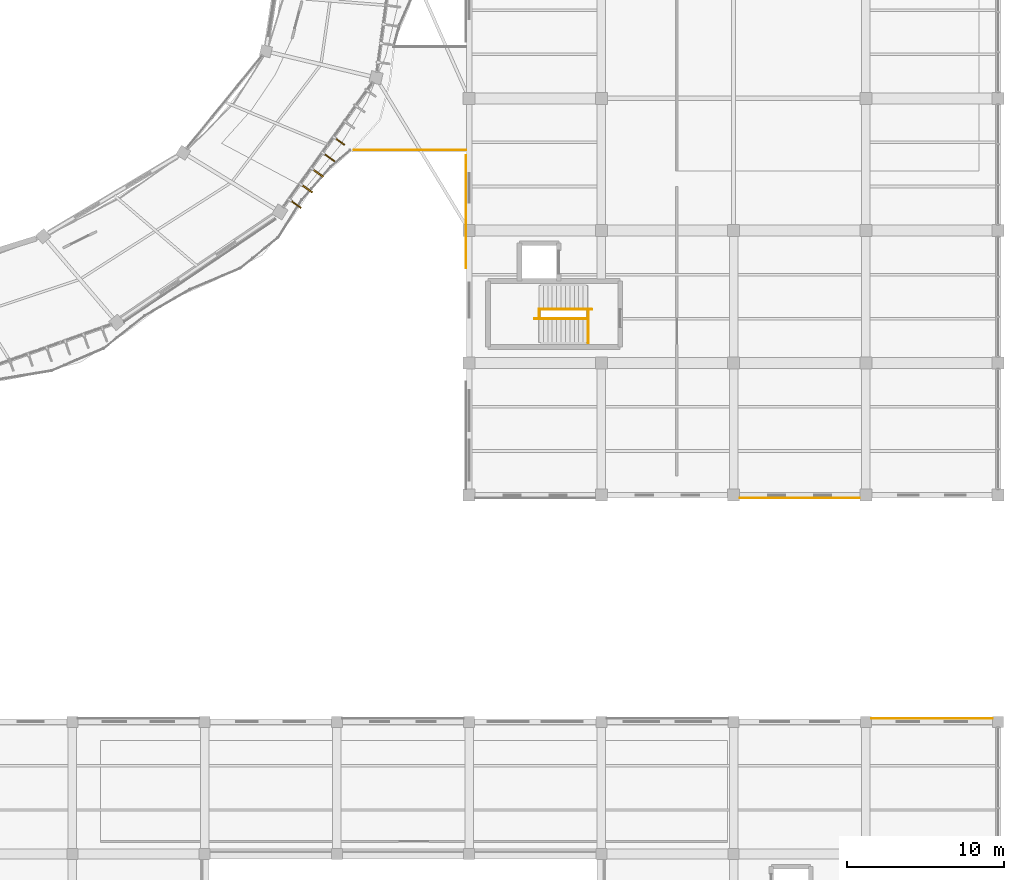
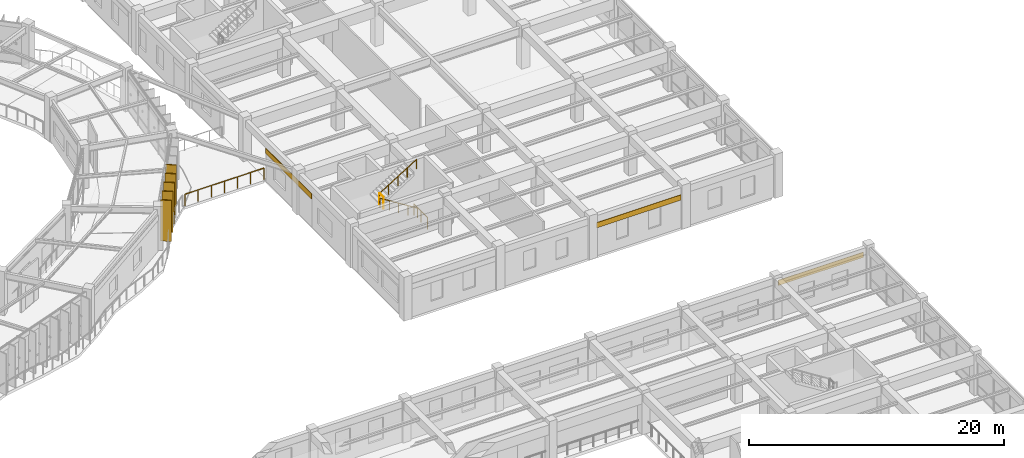
# One storey, part 151 of 152: 5 railings, 5 shading devices, 3 coverings.
"""IFC4 building model written with IfcOpenShell, lengths in metres."""

import ifcopenshell
import ifcopenshell.guid

model = None  # the IFC model being written
_history = None  # IfcOwnerHistory: only IFC2X3 demands one
_inside = {}  # id of a spatial element -> (the spatial element, [elements in it])
_under = {}  # id of a project, library or spatial element -> (it, [spatial elements below it])
_declared = {}  # id of a project -> (the project, [libraries it declares])
_typed = {}  # id of a type object -> (the type object, [elements of that type])
_made_of = {}  # id of a material, layer set ... -> (it, [elements and type objects made of it])


def new_model(schema):
    """Start an empty IFC model of exactly this schema.

    Asked for "IFC4X3", IfcOpenShell would pick the latest addendum, in which some entities
    have other attributes; the version numbers below select the first issue.
    IFC2X3 requires an IfcOwnerHistory on every rooted entity: one is made here for all.
    """
    global model, _history
    if schema == "IFC4X3":
        model = ifcopenshell.file(schema_version=(4, 3, 0, 0))
    else:
        model = ifcopenshell.file(schema=schema)
    _inside.clear()
    _under.clear()
    _declared.clear()
    _typed.clear()
    _made_of.clear()
    _history = None
    if model.schema == "IFC2X3":
        org = make("IfcOrganization", Name="unknown")
        user = make(
            "IfcPersonAndOrganization",
            ThePerson=make("IfcPerson", FamilyName="unknown"),
            TheOrganization=org,
        )
        app = make(
            "IfcApplication",
            ApplicationDeveloper=org,
            Version="unknown",
            ApplicationFullName="unknown",
            ApplicationIdentifier="unknown",
        )
        _history = make(
            "IfcOwnerHistory",
            OwningUser=user,
            OwningApplication=app,
            ChangeAction="ADDED",
            CreationDate=0,
        )
    return model


def make(cls, **values):
    """One entity of the class cls with the attributes given. An attribute that is None is left unset."""
    return model.create_entity(
        cls, **{name: value for name, value in values.items() if value is not None}
    )


def rooted(cls, **values):
    """An entity with a GlobalId (a new one), such as an element, a storey or a relation."""
    return make(cls, GlobalId=ifcopenshell.guid.new(), OwnerHistory=_history, **values)


def si_unit(unit_type, name, prefix=None):
    """IfcSIUnit, for example si_unit("LENGTHUNIT", "METRE", prefix="MILLI")."""
    return make("IfcSIUnit", UnitType=unit_type, Prefix=prefix, Name=name)


def assignment(units):
    """IfcUnitAssignment: the units of a project."""
    return None if units is None else make("IfcUnitAssignment", Units=units)


def point(xyz):
    """IfcCartesianPoint."""
    return None if xyz is None else make("IfcCartesianPoint", Coordinates=xyz)


def direction(xyz):
    """IfcDirection."""
    return None if xyz is None else make("IfcDirection", DirectionRatios=xyz)


def frame(location, z_axis=None, x_axis=None):
    """IfcAxis2Placement3D, a coordinate frame: its origin and axes. An axis left out is left unset."""
    return make(
        "IfcAxis2Placement3D",
        Location=point(location),
        Axis=direction(z_axis),
        RefDirection=direction(x_axis),
    )


def frame_2d(location, x_axis=None):
    """IfcAxis2Placement2D, a coordinate frame in the plane: its origin and x axis."""
    return make(
        "IfcAxis2Placement2D", Location=point(location), RefDirection=direction(x_axis)
    )


def origin():
    """The frame at (0, 0, 0) with its axes left unset."""
    return frame((0.0, 0.0, 0.0))


def origin_2d():
    """The frame at (0, 0) in the plane with its x axis left unset."""
    return frame_2d((0.0, 0.0))


def place(relative_to, where):
    """IfcLocalPlacement: puts the frame where relative to a parent placement (None: the world)."""
    return make(
        "IfcLocalPlacement", PlacementRelTo=relative_to, RelativePlacement=where
    )


def context(
    kind, dimensions, precision=None, world=None, true_north=None, identifier=None
):
    """IfcGeometricRepresentationContext, for example the 3D "Model" context."""
    return make(
        "IfcGeometricRepresentationContext",
        ContextIdentifier=identifier,
        ContextType=kind,
        CoordinateSpaceDimension=dimensions,
        Precision=precision,
        WorldCoordinateSystem=world,
        TrueNorth=true_north,
    )


def subcontext(parent, identifier, kind, view, scale=None):
    """IfcGeometricRepresentationSubContext, for example "Body" below "Model"."""
    return make(
        "IfcGeometricRepresentationSubContext",
        ContextIdentifier=identifier,
        ContextType=kind,
        ParentContext=parent,
        TargetScale=scale,
        TargetView=view,
    )


def project(units=None, contexts=None):
    """IfcProject with its units and contexts."""
    return rooted(
        "IfcProject",
        Name="project",
        RepresentationContexts=contexts,
        UnitsInContext=assignment(units),
    )


def spatial(cls, under=None, at=None, **own):
    """A site, building, storey or space (cls), placed at a placement, below another one or the project."""
    s = rooted(cls, ObjectPlacement=at, **own)
    if under is not None:
        _under.setdefault(under.id(), (under, []))[1].append(s)
    return s


def polyline(points):
    """IfcPolyline through the points."""
    return make("IfcPolyline", Points=[point(p) for p in points])


def profile(cls, at=None, kind="AREA", **sizes):
    """A parametric profile (cls). Its sizes go by their IFC names, for example OverallWidth=200.0."""
    return make(cls, ProfileType=kind, Position=at, **sizes)


def rectangle(**sizes):
    """IfcRectangleProfileDef."""
    return profile("IfcRectangleProfileDef", **sizes)


def circle(**sizes):
    """IfcCircleProfileDef."""
    return profile("IfcCircleProfileDef", **sizes)


def outline(outer, holes=None, kind="AREA"):
    """IfcArbitraryClosedProfileDef: a profile drawn as a closed curve; with holes, ...WithVoids."""
    if holes is None:
        return make("IfcArbitraryClosedProfileDef", ProfileType=kind, OuterCurve=outer)
    return make(
        "IfcArbitraryProfileDefWithVoids",
        ProfileType=kind,
        OuterCurve=outer,
        InnerCurves=holes,
    )


def extrude(swept, where, along, depth):
    """IfcExtrudedAreaSolid: the profile swept, set in the frame where, extruded along a direction by depth."""
    return make(
        "IfcExtrudedAreaSolid",
        SweptArea=swept,
        Position=where,
        ExtrudedDirection=direction(along),
        Depth=depth,
    )


def shape(context_of_items, identifier, shape_type, items):
    """IfcShapeRepresentation: the items that make up one representation, for example the "Body"."""
    return make(
        "IfcShapeRepresentation",
        ContextOfItems=context_of_items,
        RepresentationIdentifier=identifier,
        RepresentationType=shape_type,
        Items=items,
    )


def material(Name=None, Category=None):
    """IfcMaterial."""
    return make("IfcMaterial", Name=Name, Category=Category)


def layer(
    of_material, thickness, ventilated=None, Name=None, Category=None, Priority=None
):
    """IfcMaterialLayer: one layer of a wall or slab, of a material (None: an air gap)."""
    return make(
        "IfcMaterialLayer",
        Material=of_material,
        LayerThickness=thickness,
        IsVentilated=ventilated,
        Name=Name,
        Category=Category,
        Priority=Priority,
    )


def layer_set(layers, Name=None):
    """IfcMaterialLayerSet."""
    return make("IfcMaterialLayerSet", MaterialLayers=layers, LayerSetName=Name)


def made_of(thing, what):
    """Note that an element or type object is made of a material, layer set ...; save() writes the relation."""
    if what is not None:
        _made_of.setdefault(what.id(), (what, []))[1].append(thing)
    return thing


def type_object(cls, material=None, **own):
    """A type object (cls), such as IfcWallType, which elements share."""
    return made_of(rooted(cls, **own), material)


def element(
    cls,
    number,
    at=None,
    inside=None,
    cuts=None,
    type_object=None,
    material=None,
    context=None,
    identifier="Body",
    shape_type=None,
    held_by="IfcProductDefinitionShape",
    body=None,
    shapes=None,
    **own,
):
    """One element of the class cls, such as IfcWall. Its Tag is "e" and its number.

    at: its placement. inside: the storey or other place that contains it. cuts: it is an
    opening in that element (IfcRelVoidsElement). A single representation is given by context,
    identifier, shape_type and body (its items); several are given by shapes. held_by: the class
    of the entity that holds the representations. save() writes the other relations.
    """
    e = rooted(cls, Tag="e%d" % number, ObjectPlacement=at, **own)
    if body is not None:
        shapes = [shape(context, identifier, shape_type, body)]
    if shapes is not None:
        e.Representation = make(held_by, Representations=shapes)
    if inside is not None:
        _inside.setdefault(inside.id(), (inside, []))[1].append(e)
    if cuts is not None:
        rooted(
            "IfcRelVoidsElement", RelatingBuildingElement=cuts, RelatedOpeningElement=e
        )
    if type_object is not None:
        _typed.setdefault(type_object.id(), (type_object, []))[1].append(e)
    return made_of(e, material)


def aggregate(whole, parts):
    """IfcRelAggregates: a whole, such as a stair, and the parts it consists of."""
    return rooted("IfcRelAggregates", RelatingObject=whole, RelatedObjects=parts)


def save(model, path):
    """Write the relations noted so far, then the file.

    IfcRelAggregates (storeys below a building ...), IfcRelContainedInSpatialStructure (elements
    in a storey), IfcRelDefinesByType, IfcRelAssociatesMaterial and IfcRelDeclares: one each for
    every whole, place, type object, material and project.
    """
    for whole, parts in _under.values():
        aggregate(whole, parts)
    for where, things in _inside.values():
        rooted(
            "IfcRelContainedInSpatialStructure",
            RelatedElements=things,
            RelatingStructure=where,
        )
    for kind, things in _typed.values():
        rooted("IfcRelDefinesByType", RelatedObjects=things, RelatingType=kind)
    for what, things in _made_of.values():
        rooted("IfcRelAssociatesMaterial", RelatedObjects=things, RelatingMaterial=what)
    for by, libraries in _declared.values():
        rooted("IfcRelDeclares", RelatingContext=by, RelatedDefinitions=libraries)
    model.write(path)


model = new_model("IFC4")

# Units and contexts
model_context = context("Model", 3, precision=1e-05, world=origin(), true_north=direction((0.0, 1.0)))
body_context = subcontext(model_context, "Body", "Model", "MODEL_VIEW")
ifc_project = project(units=[si_unit("LENGTHUNIT", "METRE"), si_unit("AREAUNIT", "SQUARE_METRE"), si_unit("VOLUMEUNIT", "CUBIC_METRE"), si_unit("PLANEANGLEUNIT", "RADIAN"), si_unit("MASSUNIT", "GRAM", prefix="KILO"), si_unit("THERMODYNAMICTEMPERATUREUNIT", "KELVIN"), si_unit("POWERUNIT", "WATT")], contexts=[model_context])

# Site, building, storey
site_placement = place(None, origin())
site = spatial("IfcSite", under=ifc_project, at=site_placement, CompositionType="ELEMENT")
building_placement = place(site_placement, origin())
building = spatial("IfcBuilding", under=site, at=building_placement, Name="Darbajah Civic Hall", CompositionType="ELEMENT")
storey_placement = place(building_placement, frame((0.0, 0.0, 5.39990234375)))
storey = spatial("IfcBuildingStorey", under=building, at=storey_placement, Name="L01", CompositionType="ELEMENT", Elevation=5.39990234375)

# Railings
ifc_material_1 = material(Name="Brushed Bronze Stainless Steel", Category="steel")
railing_type_1 = type_object("IfcRailingType", Name="Brushed Bronze Handrail", PredefinedType="HANDRAIL", material=ifc_material_1)
railing_1_placement = place(storey_placement, frame((152.1201171875, 67.60009765625, 0.175048828125)))
element("IfcRailing", 1, at=railing_1_placement, inside=storey, type_object=railing_type_1, Name="ST09 L01 lower flight handrail", PredefinedType="HANDRAIL", context=body_context, shape_type="SweptSolid", body=[
    extrude(circle(Radius=0.02392578125, at=origin_2d()), frame((-0.023193359375, 0.0, 0.910400390625), z_axis=(-0.845944288966, 0.0, 0.533271281775), x_axis=(0.0, -1.0, 0.0)), (0.0, 0.0, 1.0), 3.91748046875),
    extrude(circle(Radius=0.02099609375, at=origin_2d()), origin(), (0.0, 0.0, 1.0), 0.867919921875),
    extrude(circle(Radius=0.02099609375, at=origin_2d()), frame((-0.840087890625, 0.0, 0.529541015625)), (0.0, 0.0, 1.0), 0.867919921875),
    extrude(circle(Radius=0.02099609375, at=origin_2d()), frame((-1.68017578125, 0.0, 1.05908203125)), (0.0, 0.0, 1.0), 0.867919921875),
    extrude(circle(Radius=0.02099609375, at=origin_2d()), frame((-2.52001953125, 0.0, 1.588623046875)), (0.0, 0.0, 1.0), 0.867919921875),
    extrude(circle(Radius=0.02099609375, at=origin_2d()), frame((-3.360107421875, 0.0, 2.1181640625)), (0.0, 0.0, 1.0), 0.867919921875),
])
railing_2_placement = place(storey_placement, frame((149.0400390625, 68.199951171875, 2.275146484375)))
element("IfcRailing", 2, at=railing_2_placement, inside=storey, type_object=railing_type_1, Name="ST09 L01 upper flight handrail", PredefinedType="HANDRAIL", context=body_context, shape_type="SweptSolid", body=[
    extrude(circle(Radius=0.02392578125, at=origin_2d()), frame((0.023193359375, 0.0, 0.910400390625), z_axis=(0.845926808262, 0.0, 0.533299010935), x_axis=(0.0, 1.0, 0.0)), (0.0, 0.0, 1.0), 3.917236328125),
    extrude(circle(Radius=0.02099609375, at=origin_2d()), origin(), (0.0, 0.0, 1.0), 0.867919921875),
    extrude(circle(Radius=0.02099609375, at=origin_2d()), frame((0.83984375, 0.0, 0.529541015625)), (0.0, 0.0, 1.0), 0.867919921875),
    extrude(circle(Radius=0.02099609375, at=origin_2d()), frame((1.679931640625, 0.0, 1.05908203125)), (0.0, 0.0, 1.0), 0.867919921875),
    extrude(circle(Radius=0.02099609375, at=origin_2d()), frame((2.52001953125, 0.0, 1.588623046875)), (0.0, 0.0, 1.0), 0.867919921875),
    extrude(circle(Radius=0.02099609375, at=origin_2d()), frame((3.35986328125, 0.0, 2.1181640625)), (0.0, 0.0, 1.0), 0.867919921875),
])
ifc_material_2 = material(Name="Anodised Bronze Aluminium and Laminated Safety Glass", Category="aluminium")
railing_type_2 = type_object("IfcRailingType", Name="Exterior Terrace Balustrade Guard", PredefinedType="BALUSTRADE", material=ifc_material_2)
railing_3_placement = place(storey_placement, frame((137.28515625, 78.320068359375, 0.0)))
element("IfcRailing", 3, at=railing_3_placement, inside=storey, type_object=railing_type_2, Name="L01 East link walk south guard", PredefinedType="BALUSTRADE", context=body_context, shape_type="SweptSolid", body=[
    extrude(circle(Radius=0.02392578125, at=origin_2d()), frame((0.02734375, 0.0, 1.09619140625), z_axis=(1.0, 0.0, 0.0), x_axis=(0.0, 1.0, 0.0)), (0.0, 0.0, 1.0), 7.073486328125),
    extrude(circle(Radius=0.02099609375, at=origin_2d()), origin(), (0.0, 0.0, 1.0), 1.068115234375),
    extrude(circle(Radius=0.02099609375, at=origin_2d()), frame((1.18798828125, 0.0, 0.0)), (0.0, 0.0, 1.0), 1.068115234375),
    extrude(circle(Radius=0.02099609375, at=origin_2d()), frame((2.3759765625, 0.0, 0.0)), (0.0, 0.0, 1.0), 1.068115234375),
    extrude(circle(Radius=0.02099609375, at=origin_2d()), frame((3.56396484375, 0.0, 0.0)), (0.0, 0.0, 1.0), 1.068115234375),
    extrude(circle(Radius=0.02099609375, at=origin_2d()), frame((4.752197265625, 0.0, 0.0)), (0.0, 0.0, 1.0), 1.068115234375),
    extrude(circle(Radius=0.02099609375, at=origin_2d()), frame((5.940185546875, 0.0, 0.0)), (0.0, 0.0, 1.0), 1.068115234375),
    extrude(circle(Radius=0.02099609375, at=origin_2d()), frame((7.128173828125, 0.0, 0.0)), (0.0, 0.0, 1.0), 1.068115234375),
])
ifc_material_3 = material(Name="Brushed Bronze and Laminated Safety Glass", Category="glass")
railing_type_3 = type_object("IfcRailingType", Name="Interior Guard Balustrade", PredefinedType="BALUSTRADE", material=ifc_material_3)
railing_4_placement = place(storey_placement, frame((152.169921875, 66.050048828125, 0.0)))
element("IfcRailing", 4, at=railing_4_placement, inside=storey, type_object=railing_type_3, Name="ST09 L01 stair-well edge guard", PredefinedType="BALUSTRADE", context=body_context, shape_type="SweptSolid", body=[
    extrude(circle(Radius=0.02392578125, at=origin_2d()), frame((0.0, 0.02734375, 1.09619140625), z_axis=(0.0, 1.0, 0.0), x_axis=(-1.0, 0.0, 0.0)), (0.0, 0.0, 1.0), 2.09521484375),
    extrude(circle(Radius=0.02099609375, at=origin_2d()), origin(), (0.0, 0.0, 1.0), 1.068115234375),
    extrude(circle(Radius=0.02099609375, at=origin_2d()), frame((0.0, 1.074951171875, 0.0)), (0.0, 0.0, 1.0), 1.068115234375),
    extrude(circle(Radius=0.02099609375, at=origin_2d()), frame((0.0, 2.14990234375, 0.0)), (0.0, 0.0, 1.0), 1.068115234375),
])
railing_5_placement = place(storey_placement, frame((149.06005859375, 67.60009765625, 2.10009765625)))
element("IfcRailing", 5, at=railing_5_placement, inside=storey, type_object=railing_type_3, Name="ST09 L01 landing well guard", PredefinedType="BALUSTRADE", context=body_context, shape_type="SweptSolid", body=[
    extrude(circle(Radius=0.02392578125, at=origin_2d()), frame((0.0, 0.02734375, 1.09619140625), z_axis=(0.0, 1.0, 0.0), x_axis=(-1.0, 0.0, 0.0)), (0.0, 0.0, 1.0), 0.545166015625),
    extrude(circle(Radius=0.02099609375, at=origin_2d()), origin(), (0.0, 0.0, 1.0), 1.068115234375),
    extrude(circle(Radius=0.02099609375, at=origin_2d()), frame((0.0, 0.599853515625, 0.0)), (0.0, 0.0, 1.0), 1.068115234375),
])

# Coverings
ifc_material_4 = material(Name="Qatari Desert Limestone Ashlar", Category="masonry")
ifc_layer = layer(ifc_material_4, 0.044921875, Name="Qatari Desert Limestone Ashlar")
ifc_layer_set = layer_set([ifc_layer], Name="Qatari Desert Limestone Ashlar")
covering_type = type_object("IfcCoveringType", Name="Limestone Facade Cladding", PredefinedType="CLADDING", material=ifc_layer_set)
covering_1_placement = place(storey_placement, frame((0.0, 0.0, 2.75)))
element("IfcCovering", 6, at=covering_1_placement, inside=storey, type_object=covering_type, Name="L01 stone frieze cladding EW-V3-L01-S4-B0", PredefinedType="CLADDING", context=body_context, shape_type="SweptSolid", body=[
    extrude(outline(polyline([(177.847900390625, 42.18994140625), (170.152099609375, 42.18994140625), (170.152099609375, 42.235107421875), (177.847900390625, 42.235107421875), (177.847900390625, 42.18994140625)])), origin(), (0.0, 0.0, 1.0), 0.5),
])
covering_2_placement = place(storey_placement, frame((0.0, 0.0, 2.710205078125)))
element("IfcCovering", 7, at=covering_2_placement, inside=storey, type_object=covering_type, Name="L01 stone frieze cladding EW-V4-L01-S0-B2", PredefinedType="CLADDING", context=body_context, shape_type="SweptSolid", body=[
    extrude(outline(polyline([(161.777099609375, 56.22998046875), (169.423095703125, 56.22998046875), (169.423095703125, 56.18505859375), (161.777099609375, 56.18505859375), (161.777099609375, 56.22998046875)])), origin(), (0.0, 0.0, 1.0), 0.5),
])
covering_3_placement = place(storey_placement, frame((0.0, 0.0, 2.710205078125)))
element("IfcCovering", 8, at=covering_3_placement, inside=storey, type_object=covering_type, Name="L01 stone frieze cladding EW-V4-L01-S4-B0", PredefinedType="CLADDING", context=body_context, shape_type="SweptSolid", body=[
    extrude(outline(polyline([(144.429931640625, 78.0), (144.429931640625, 70.800048828125), (144.385009765625, 70.800048828125), (144.385009765625, 78.0), (144.429931640625, 78.0)])), origin(), (0.0, 0.0, 1.0), 0.5),
])

# Shading devices
ifc_material_5 = material(Name="Bronze Anodised Aluminium and Teak Composite", Category="aluminium")
shading_device_type = type_object("IfcShadingDeviceType", Name="Vertical Bronze Timber Shading Fin", PredefinedType="USERDEFINED", material=ifc_material_5)
for number, where, z_axis, x_axis, name in (
    (9, (133.576904296875, 74.8876953125, 0.000244140625), (0.0, 0.0, 1.0), (0.812999149039, -0.582264874145, 0.0), "L01 vertical shading fin VF-18-1"),
    (10, (134.285400390625, 75.876953125, 0.000244140625), (0.0, 0.0, 1.0), (0.812999149039, -0.582264874145, 0.0), "L01 vertical shading fin VF-18-2"),
    (11, (134.993896484375, 76.8662109375, 0.000244140625), (0.0, 0.0, 1.0), (0.812999149039, -0.582264874145, 0.0), "L01 vertical shading fin VF-18-3"),
    (12, (135.702392578125, 77.85546875, 0.000244140625), (0.0, 0.0, 1.0), (0.812999149039, -0.582264874145, 0.0), "L01 vertical shading fin VF-18-4"),
    (13, (136.340576171875, 78.894775390625, 0.000244140625), (0.0, 0.0, 1.0), (0.812999149039, -0.582264874145, 0.0), "L01 vertical shading fin VF-18-5"),
):
    element("IfcShadingDevice", number, at=place(storey_placement, frame(where, z_axis=z_axis, x_axis=x_axis)), inside=storey, type_object=shading_device_type, Name=name, ObjectType="VERTICAL FIN", PredefinedType="USERDEFINED", context=body_context, shape_type="SweptSolid", body=[
        extrude(rectangle(XDim=0.85009765625, YDim=0.090087890625, at=origin_2d()), origin(), (0.0, 0.0, 1.0), 3.919921875),
    ])

save(model, "model.ifc")
